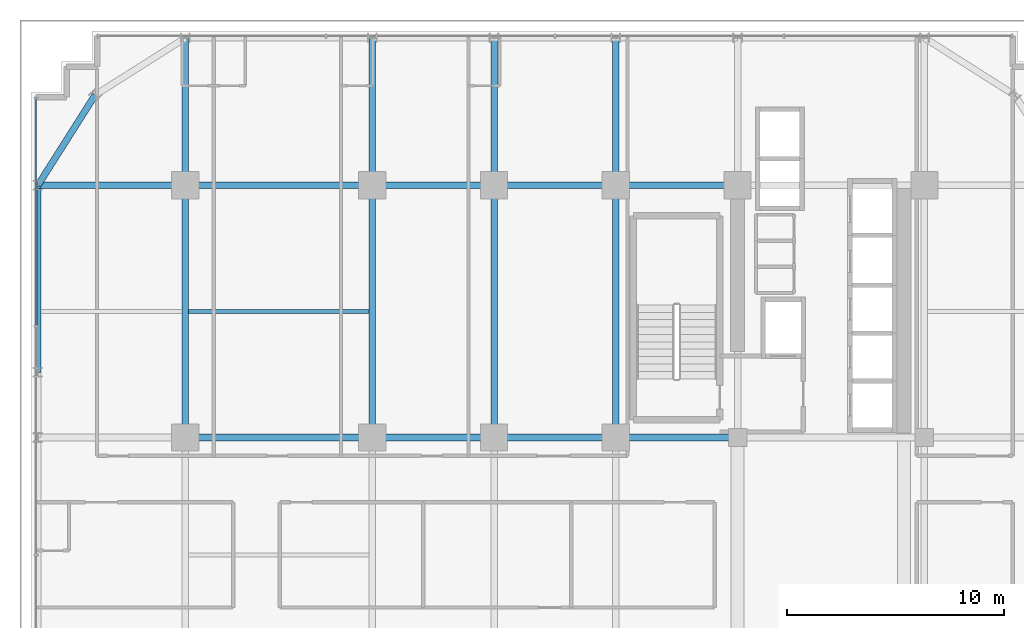
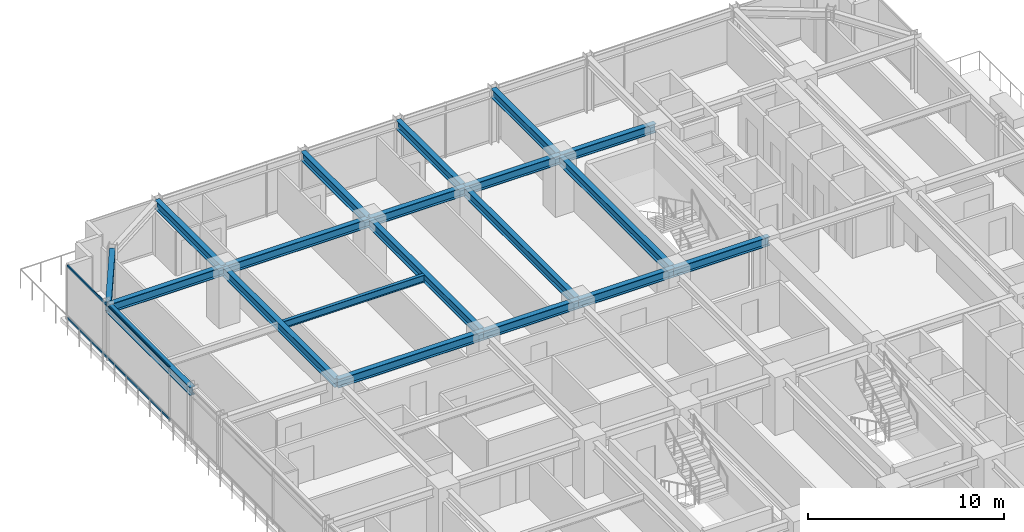
# One storey, part 18 of 34: 20 beams, 2 members, 1 element without a shape of its own.
"""IFC4 building model written with IfcOpenShell, lengths in metres."""

from ifc_helpers import new_model, si_unit, direction, frame, origin, origin_2d, place, context, subcontext, project, spatial, hollow_rectangle, i_section, extrude, source, transform, mapped, material, material_profile, profile_set, type_object, element, aggregate, save


model = new_model("IFC4")

# Units and contexts
model_context = context("Model", 3, precision=1e-05, world=origin(), true_north=direction((0.0, 1.0)))
body_context = subcontext(model_context, "Body", "Model", "MODEL_VIEW")
ifc_project = project(units=[si_unit("LENGTHUNIT", "METRE"), si_unit("AREAUNIT", "SQUARE_METRE"), si_unit("VOLUMEUNIT", "CUBIC_METRE"), si_unit("PLANEANGLEUNIT", "RADIAN"), si_unit("MASSUNIT", "GRAM", prefix="KILO")], contexts=[model_context])

# Site, building, storey
site_placement = place(None, origin())
site = spatial("IfcSite", under=ifc_project, at=site_placement, CompositionType="ELEMENT")
building_placement = place(site_placement, origin())
building = spatial("IfcBuilding", under=site, at=building_placement, Name="Nahalor Promenade Grand Hotel", CompositionType="ELEMENT")
storey_placement = place(building_placement, frame((0.0, 0.0, 88.300048828125)))
storey = spatial("IfcBuildingStorey", under=building, at=storey_placement, Name="L21", CompositionType="ELEMENT", Elevation=88.300048828125)

# Beams
ifc_material_1 = material(Name="Steel S355JR", Category="steel")
ifc_material_profile_1 = material_profile(ifc_material_1, i_section(OverallWidth=0.3, OverallDepth=0.5, WebThickness=0.0145, FlangeThickness=0.028, at=origin_2d()), Name="HEB 500")
ifc_profile_set_1 = profile_set([ifc_material_profile_1], Name="Steel S355JR")
beam_type_1 = type_object("IfcBeamType", Name="Beam-Spandrel-HEB500", PredefinedType="SPANDREL", material=ifc_profile_set_1)
shared_shape_1 = source(origin(), body_context, "Body", "SweptSolid", [
    extrude(i_section(OverallWidth=0.3, OverallDepth=0.5, WebThickness=0.0145, FlangeThickness=0.028, at=origin_2d()), origin(), (0.0, 0.0, 1.0), 8.60009765625),
])
beam_1_placement = place(storey_placement, frame((-23.780029296875, 8.39990234375, 3.1298828125), z_axis=(0.0, 1.0, 0.0), x_axis=(-1.0, 0.0, 0.0)))
element("IfcBeam", 1, at=beam_1_placement, inside=storey, type_object=beam_type_1, Name="BM-L21-SP-W-4", PredefinedType="SPANDREL", context=body_context, shape_type="MappedRepresentation", body=[
    mapped(shared_shape_1, transform((0.0, 0.0, 0.0), scale=1.0)),
])
shared_shape_2 = source(origin(), body_context, "Body", "SweptSolid", [
    extrude(i_section(OverallWidth=0.3, OverallDepth=0.5, WebThickness=0.0145, FlangeThickness=0.028, at=origin_2d()), origin(), (0.0, 0.0, 1.0), 4.9130859375),
])
beam_2_placement = place(storey_placement, frame((-21.14990234375, 21.14990234375, 3.1298828125), z_axis=(-0.535321591403, -0.844648325505, 0.0), x_axis=(0.844648325505, -0.535321591403, 0.0)))
element("IfcBeam", 2, at=beam_2_placement, inside=storey, type_object=beam_type_1, Name="BM-L21-SPC-NW-2", PredefinedType="SPANDREL", context=body_context, shape_type="MappedRepresentation", body=[
    mapped(shared_shape_2, transform((0.0, 0.0, 0.0), scale=1.0)),
])
ifc_material_profile_2 = material_profile(ifc_material_1, i_section(OverallWidth=0.3, OverallDepth=0.55, WebThickness=0.015, FlangeThickness=0.029, at=origin_2d()), Name="HEB 550")
ifc_profile_set_2 = profile_set([ifc_material_profile_2], Name="Steel S355JR")
beam_type_2 = type_object("IfcBeamType", Name="Beam-Girder-HEB550", PredefinedType="BEAM", material=ifc_profile_set_2)
shared_shape_3 = source(origin(), body_context, "Body", "SweptSolid", [
    extrude(i_section(OverallWidth=0.3, OverallDepth=0.55, WebThickness=0.015, FlangeThickness=0.029, at=origin_2d()), origin(), (0.0, 0.0, 1.0), 6.780029296875),
])
for number, where, z_axis, x_axis, name in (
    (3, (-23.780029296875, 17.0, 3.10498046875), (1.0, 0.0, 0.0), (0.0, 1.0, 0.0), "BM-L21-GX-3-0"),
    (4, (-17.0, 17.0, 3.10498046875), (0.0, 1.0, 0.0), (-1.0, 0.0, 0.0), "BM-L21-GY-0-4"),
    (5, (-8.39990234375, 17.0, 3.10498046875), (0.0, 1.0, 0.0), (-1.0, 0.0, 0.0), "BM-L21-GY-1-4"),
    (6, (-2.800048828125, 17.0, 3.10498046875), (0.0, 1.0, 0.0), (-1.0, 0.0, 0.0), "BM-L21-GY-2-4"),
    (7, (2.800048828125, 17.0, 3.10498046875), (0.0, 1.0, 0.0), (-1.0, 0.0, 0.0), "BM-L21-GY-3-4"),
):
    element("IfcBeam", number, at=place(storey_placement, frame(where, z_axis=z_axis, x_axis=x_axis)), inside=storey, type_object=beam_type_2, Name=name, PredefinedType="BEAM", context=body_context, shape_type="MappedRepresentation", body=[
        mapped(shared_shape_3, transform((0.0, 0.0, 0.0), scale=1.0)),
    ])
shared_shape_4 = source(origin(), body_context, "Body", "SweptSolid", [
    extrude(i_section(OverallWidth=0.3, OverallDepth=0.55, WebThickness=0.015, FlangeThickness=0.029, at=origin_2d()), origin(), (0.0, 0.0, 1.0), 8.60009765625),
])
for number, where, z_axis, x_axis, name in (
    (8, (-17.0, 5.39990234375, 3.10498046875), (1.0, 0.0, 0.0), (0.0, 1.0, 0.0), "BM-L21-GX-2-1"),
    (9, (-17.0, 17.0, 3.10498046875), (1.0, 0.0, 0.0), (0.0, 1.0, 0.0), "BM-L21-GX-3-1"),
):
    element("IfcBeam", number, at=place(storey_placement, frame(where, z_axis=z_axis, x_axis=x_axis)), inside=storey, type_object=beam_type_2, Name=name, PredefinedType="BEAM", context=body_context, shape_type="MappedRepresentation", body=[
        mapped(shared_shape_4, transform((0.0, 0.0, 0.0), scale=1.0)),
    ])
shared_shape_5 = source(origin(), body_context, "Body", "SweptSolid", [
    extrude(i_section(OverallWidth=0.3, OverallDepth=0.55, WebThickness=0.015, FlangeThickness=0.029, at=origin_2d()), origin(), (0.0, 0.0, 1.0), 5.599853515625),
])
for number, where, z_axis, x_axis, name in (
    (10, (-8.39990234375, 5.39990234375, 3.10498046875), (1.0, 0.0, 0.0), (0.0, 1.0, 0.0), "BM-L21-GX-2-2"),
    (11, (2.800048828125, 5.39990234375, 3.10498046875), (1.0, 0.0, 0.0), (0.0, 1.0, 0.0), "BM-L21-GX-2-4"),
    (12, (-8.39990234375, 17.0, 3.10498046875), (1.0, 0.0, 0.0), (0.0, 1.0, 0.0), "BM-L21-GX-3-2"),
    (13, (2.800048828125, 17.0, 3.10498046875), (1.0, 0.0, 0.0), (0.0, 1.0, 0.0), "BM-L21-GX-3-4"),
):
    element("IfcBeam", number, at=place(storey_placement, frame(where, z_axis=z_axis, x_axis=x_axis)), inside=storey, type_object=beam_type_2, Name=name, PredefinedType="BEAM", context=body_context, shape_type="MappedRepresentation", body=[
        mapped(shared_shape_5, transform((0.0, 0.0, 0.0), scale=1.0)),
    ])
shared_shape_6 = source(origin(), body_context, "Body", "SweptSolid", [
    extrude(i_section(OverallWidth=0.3, OverallDepth=0.55, WebThickness=0.015, FlangeThickness=0.029, at=origin_2d()), origin(), (0.0, 0.0, 1.0), 5.60009765625),
])
for number, where, z_axis, x_axis, name in (
    (14, (-2.800048828125, 5.39990234375, 3.10498046875), (1.0, 0.0, 0.0), (0.0, 1.0, 0.0), "BM-L21-GX-2-3"),
    (15, (-2.800048828125, 17.0, 3.10498046875), (1.0, 0.0, 0.0), (0.0, 1.0, 0.0), "BM-L21-GX-3-3"),
):
    element("IfcBeam", number, at=place(storey_placement, frame(where, z_axis=z_axis, x_axis=x_axis)), inside=storey, type_object=beam_type_2, Name=name, PredefinedType="BEAM", context=body_context, shape_type="MappedRepresentation", body=[
        mapped(shared_shape_6, transform((0.0, 0.0, 0.0), scale=1.0)),
    ])
shared_shape_7 = source(origin(), body_context, "Body", "SweptSolid", [
    extrude(i_section(OverallWidth=0.3, OverallDepth=0.55, WebThickness=0.015, FlangeThickness=0.029, at=origin_2d()), origin(), (0.0, 0.0, 1.0), 11.60009765625),
])
for number, where, z_axis, x_axis, name in (
    (16, (-17.0, 5.39990234375, 3.10498046875), (0.0, 1.0, 0.0), (-1.0, 0.0, 0.0), "BM-L21-GY-0-3"),
    (17, (-8.39990234375, 5.39990234375, 3.10498046875), (0.0, 1.0, 0.0), (-1.0, 0.0, 0.0), "BM-L21-GY-1-3"),
    (18, (-2.800048828125, 5.39990234375, 3.10498046875), (0.0, 1.0, 0.0), (-1.0, 0.0, 0.0), "BM-L21-GY-2-3"),
    (19, (2.800048828125, 5.39990234375, 3.10498046875), (0.0, 1.0, 0.0), (-1.0, 0.0, 0.0), "BM-L21-GY-3-3"),
):
    element("IfcBeam", number, at=place(storey_placement, frame(where, z_axis=z_axis, x_axis=x_axis)), inside=storey, type_object=beam_type_2, Name=name, PredefinedType="BEAM", context=body_context, shape_type="MappedRepresentation", body=[
        mapped(shared_shape_7, transform((0.0, 0.0, 0.0), scale=1.0)),
    ])
ifc_material_profile_3 = material_profile(ifc_material_1, i_section(OverallWidth=0.19, OverallDepth=0.45, WebThickness=0.0094, FlangeThickness=0.0146, at=origin_2d()), Name="IPE 450")
ifc_profile_set_3 = profile_set([ifc_material_profile_3], Name="Steel S355JR")
beam_type_3 = type_object("IfcBeamType", Name="Beam-Joist-IPE450", PredefinedType="JOIST", material=ifc_profile_set_3)
shared_shape_8 = source(origin(), body_context, "Body", "SweptSolid", [
    extrude(i_section(OverallWidth=0.19, OverallDepth=0.45, WebThickness=0.0094, FlangeThickness=0.0146, at=origin_2d()), origin(), (0.0, 0.0, 1.0), 8.300048828125),
])
beam_3_placement = place(storey_placement, frame((-16.85009765625, 11.199951171875, 3.155029296875), z_axis=(1.0, 0.0, 0.0), x_axis=(0.0, 1.0, 0.0)))
element("IfcBeam", 20, at=beam_3_placement, inside=storey, type_object=beam_type_3, Name="BM-L21-JSW-1-1", PredefinedType="JOIST", context=body_context, shape_type="MappedRepresentation", body=[
    mapped(shared_shape_8, transform((0.0, 0.0, 0.0), scale=1.0)),
])

# Curtain wall, members
ifc_material_2 = material(Name="Anodised Bronze Aluminium EN AW-6063 T6", Category="aluminium")
curtain_wall_type = type_object("IfcCurtainWallType", Name="CW2 Typical Hotel Flush Bronze Unitised Curtain Wall", PredefinedType="USERDEFINED", material=ifc_material_2)
curtain_wall_placement = place(storey_placement, origin())
curtain_wall = element("IfcCurtainWall", 21, at=curtain_wall_placement, inside=storey, type_object=curtain_wall_type, Name="L21 Curtain Wall CW-L21-W-1", ObjectType="UNITISED_CURTAIN_WALL", PredefinedType="USERDEFINED")
ifc_material_profile_4 = material_profile(ifc_material_2, hollow_rectangle(XDim=0.065, YDim=0.13, WallThickness=0.004, at=origin_2d()), Name="CWT 65x130x4")
ifc_profile_set_4 = profile_set([ifc_material_profile_4], Name="Anodised Bronze Aluminium EN AW-6063 T6")
member_type = type_object("IfcMemberType", Name="CWT2 Typical Bronze Transom 65x130", PredefinedType="USERDEFINED", material=ifc_profile_set_4)
shared_shape_9 = source(origin(), body_context, "Body", "SweptSolid", [
    extrude(hollow_rectangle(XDim=0.065, YDim=0.13, WallThickness=0.004, at=origin_2d()), origin(), (0.0, 0.0, 1.0), 10.4326171875),
])
member_1_placement = place(storey_placement, frame((-23.860107421875, 10.5625, 0.06494140625), z_axis=(0.0, 1.0, 0.0), x_axis=(-1.0, 0.0, 0.0)))
member_1 = element("IfcMember", 22, at=member_1_placement, type_object=member_type, Name="CW-L21-W-1 Transom 3-0", ObjectType="TRANSOM", PredefinedType="USERDEFINED", context=body_context, shape_type="MappedRepresentation", body=[
    mapped(shared_shape_9, transform((0.0, 0.0, 0.0), scale=1.0)),
])
member_2_placement = place(storey_placement, frame((-23.860107421875, 10.5625, 3.31494140625), z_axis=(0.0, 1.0, 0.0), x_axis=(-1.0, 0.0, 0.0)))
member_2 = element("IfcMember", 23, at=member_2_placement, type_object=member_type, Name="CW-L21-W-1 Transom 3-1", ObjectType="TRANSOM", PredefinedType="USERDEFINED", context=body_context, shape_type="MappedRepresentation", body=[
    mapped(shared_shape_9, transform((0.0, 0.0, 0.0), scale=1.0)),
])
aggregate(curtain_wall, [member_1, member_2])

save(model, "model.ifc")
